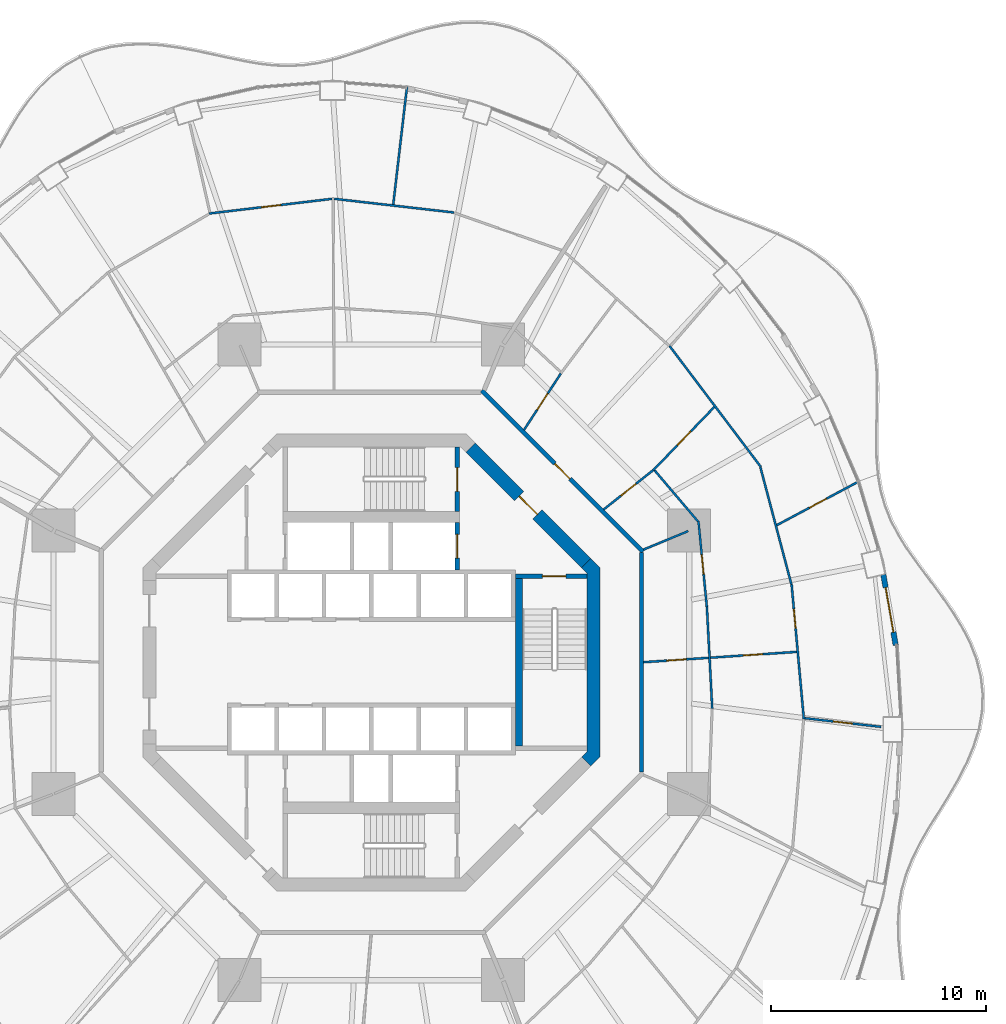
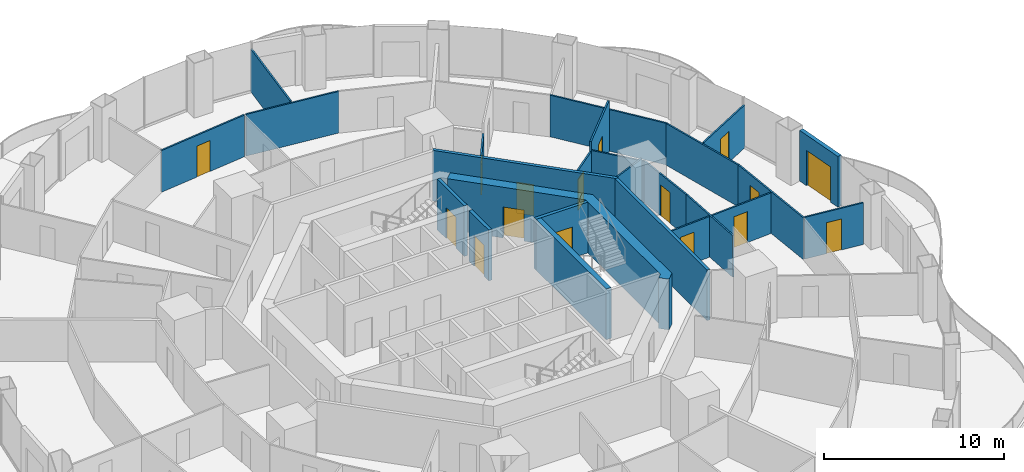
# One storey, part 16 of 20: 25 walls, 16 doors, 16 openings.
"""IFC4 building model written with IfcOpenShell, lengths in metres."""

from ifc_helpers import new_model, si_unit, direction, frame, frame_2d, origin, place, context, subcontext, project, spatial, polyline, rectangle, outline, extrude, material, layer, layer_set, type_object, element, fill, save


model = new_model("IFC4")

# Units and contexts
model_context = context("Model", 3, precision=1e-05, world=origin(), true_north=direction((0.0, 1.0)))
body_context = subcontext(model_context, "Body", "Model", "MODEL_VIEW")
ifc_project = project(units=[si_unit("LENGTHUNIT", "METRE"), si_unit("AREAUNIT", "SQUARE_METRE"), si_unit("VOLUMEUNIT", "CUBIC_METRE"), si_unit("PLANEANGLEUNIT", "RADIAN"), si_unit("MASSUNIT", "GRAM", prefix="KILO")], contexts=[model_context])

# Site, building, storey
site_placement = place(None, origin())
site = spatial("IfcSite", under=ifc_project, at=site_placement, CompositionType="ELEMENT")
building_placement = place(site_placement, origin())
building = spatial("IfcBuilding", under=site, at=building_placement, Name="Nagisa Residences", CompositionType="ELEMENT")
storey_placement = place(building_placement, frame((0.0, 0.0, 123.300048828125)))
storey = spatial("IfcBuildingStorey", under=building, at=storey_placement, Name="L30", CompositionType="ELEMENT", Elevation=123.300048828125)

# Wall
ifc_material_1 = material(Name="Gypsum board on steel studs", Category="steel")
ifc_layer_1 = layer(ifc_material_1, 0.199951171875)
ifc_layer_set_1 = layer_set([ifc_layer_1], Name="Apartment entry wall EI60 200")
wall_type_1 = type_object("IfcWallType", Name="Apartment entry wall EI60 200", PredefinedType="PARTITIONING", material=ifc_layer_set_1)
wall_1_placement = place(storey_placement, frame((12.564697265625, -5.1044921875, 0.0), z_axis=(0.0, 0.0, 1.0), x_axis=(0.0, 1.0, 0.0)))
element("IfcWall", 1, at=wall_1_placement, inside=storey, type_object=wall_type_1, Name="wall:L30:u06", PredefinedType="PARTITIONING", context=body_context, shape_type="SweptSolid", body=[
    extrude(rectangle(XDim=10.208984375, YDim=0.199951171875, at=frame_2d((5.1044921875, 0.0))), origin(), (0.0, 0.0, 1.0), 3.43994140625),
])

# Wall, opening, door
wall_2_placement = place(storey_placement, frame((12.635498046875, 5.1337890625, 0.0), z_axis=(0.0, 0.0, 1.0), x_axis=(-0.707106781187, 0.707106781187, 0.0)))
wall_2 = element("IfcWall", 2, at=wall_2_placement, inside=storey, type_object=wall_type_1, Name="wall:L30:u07", PredefinedType="PARTITIONING", context=body_context, shape_type="SweptSolid", body=[
    extrude(rectangle(XDim=10.609130859375, YDim=0.199951171875, at=frame_2d((5.3046875, 0.0))), origin(), (0.0, 0.0, 1.0), 3.43994140625),
])
opening_1_placement = place(wall_2_placement, frame((4.804443359375, 0.0, 0.0)))
opening_1 = element("IfcOpeningElement", 3, at=opening_1_placement, cuts=wall_2, Name="Opening L30-U35", PredefinedType="OPENING", context=body_context, shape_type="SweptSolid", body=[
    extrude(rectangle(XDim=1.0, YDim=2.10009765625, at=frame_2d((0.5, 1.050048828125))), frame((0.0, 0.10986328125, 0.0), z_axis=(0.0, -1.0, 0.0), x_axis=(1.0, 0.0, 0.0)), (0.0, 0.0, 1.0), 0.219970703125),
])
ifc_material_2 = material(Name="Timber fire door set", Category="wood")
door_type_1 = type_object("IfcDoorType", Name="Apartment entry door FD30S 1000x2100", OperationType="NOTDEFINED", PredefinedType="DOOR", material=ifc_material_2)
door_1_placement = place(opening_1_placement, frame((1.0, 0.0, 0.0), x_axis=(-1.0, 0.0, 0.0)))
door_1 = element("IfcDoor", 4, at=door_1_placement, inside=storey, type_object=door_type_1, Name="Entry door, Apartment 30C", OperationType="SINGLE_SWING_RIGHT", OverallHeight=2.10009765625, OverallWidth=1.0, PredefinedType="DOOR", context=body_context, shape_type="SweptSolid", body=[
    extrude(rectangle(XDim=1.0, YDim=2.10009765625, at=frame_2d((0.5, 1.050048828125))), frame((0.0, 0.02490234375, 0.0), z_axis=(0.0, -1.0, 0.0), x_axis=(1.0, 0.0, 0.0)), (0.0, 0.0, 1.0), 0.050048828125),
])
fill(opening_1, door_1)

# Wall
ifc_material_3 = material(Name="Gypsum board on steel studs", Category="steel")
ifc_layer_2 = layer(ifc_material_3, 0.10009765625)
ifc_layer_set_2 = layer_set([ifc_layer_2], Name="Apartment partition 100")
wall_type_2 = type_object("IfcWallType", Name="Apartment partition 100", PredefinedType="PARTITIONING", material=ifc_layer_set_2)
wall_3_placement = place(storey_placement, frame((15.853271484375, -2.158203125, 0.0), z_axis=(0.0, 0.0, 1.0), x_axis=(-0.052483289253, 0.99862180246, 0.0)))
element("IfcWall", 5, at=wall_3_placement, inside=storey, type_object=wall_type_2, Name="wall:L30:u14", PredefinedType="PARTITIONING", context=body_context, shape_type="SweptSolid", body=[
    extrude(rectangle(XDim=4.74951171875, YDim=0.10009765625, at=frame_2d((2.374755859375, 0.0))), origin(), (0.0, 0.0, 1.0), 2.827880859375),
])

# Wall, opening, door
wall_4_placement = place(storey_placement, frame((20.159912109375, -2.597900390625, 0.0), z_axis=(0.0, 0.0, 1.0), x_axis=(0.993610673305, -0.112861994911, 0.0)))
wall_4 = element("IfcWall", 6, at=wall_4_placement, inside=storey, type_object=wall_type_2, Name="wall:L30:u16", PredefinedType="PARTITIONING", context=body_context, shape_type="SweptSolid", body=[
    extrude(rectangle(XDim=3.560546875, YDim=0.10009765625, at=frame_2d((1.7802734375, 0.0))), origin(), (0.0, 0.0, 1.0), 2.827880859375),
])
opening_2_placement = place(wall_4_placement, frame((1.330322265625, 0.0, 0.0)))
opening_2 = element("IfcOpeningElement", 7, at=opening_2_placement, cuts=wall_4, Name="Opening L30-U45", PredefinedType="OPENING", context=body_context, shape_type="SweptSolid", body=[
    extrude(rectangle(XDim=0.89990234375, YDim=2.10009765625, at=frame_2d((0.449951171875, 1.050048828125))), frame((0.0, 0.06005859375, 0.0), z_axis=(0.0, -1.0, 0.0), x_axis=(1.0, 0.0, 0.0)), (0.0, 0.0, 1.0), 0.1201171875),
])
ifc_material_4 = material(Name="Timber door set", Category="wood")
door_type_2 = type_object("IfcDoorType", Name="Apartment door 900x2100", OperationType="NOTDEFINED", PredefinedType="DOOR", material=ifc_material_4)
door_2_placement = place(opening_2_placement, frame((0.89990234375, 0.0, 0.0), x_axis=(-1.0, 0.0, 0.0)))
door_2 = element("IfcDoor", 8, at=door_2_placement, inside=storey, type_object=door_type_2, Name="Door to living room, Apartment 30C", OperationType="SINGLE_SWING_RIGHT", OverallHeight=2.10009765625, OverallWidth=0.89990234375, PredefinedType="DOOR", context=body_context, shape_type="SweptSolid", body=[
    extrude(rectangle(XDim=0.89990234375, YDim=2.10009765625, at=frame_2d((0.449951171875, 1.050048828125))), frame((0.0, 0.02490234375, 0.0), z_axis=(0.0, -1.0, 0.0), x_axis=(1.0, 0.0, 0.0)), (0.0, 0.0, 1.0), 0.050048828125),
])
fill(opening_2, door_2)

wall_5_placement = place(storey_placement, frame((20.11474609375, -2.64208984375, 0.0), z_axis=(0.0, 0.0, 1.0), x_axis=(-0.090563746294, 0.995890660593, 0.0)))
wall_5 = element("IfcWall", 9, at=wall_5_placement, inside=storey, type_object=wall_type_2, Name="wall:L30:u17", PredefinedType="PARTITIONING", context=body_context, shape_type="SweptSolid", body=[
    extrude(rectangle(XDim=6.289306640625, YDim=0.10009765625, at=frame_2d((3.14453125, 0.0))), origin(), (0.0, 0.0, 1.0), 2.827880859375),
])
opening_3_placement = place(wall_5_placement, frame((4.241943359375, 0.0, 0.0)))
opening_3 = element("IfcOpeningElement", 10, at=opening_3_placement, cuts=wall_5, Name="Opening L30-U40", PredefinedType="OPENING", context=body_context, shape_type="SweptSolid", body=[
    extrude(rectangle(XDim=0.89990234375, YDim=2.10009765625, at=frame_2d((0.449951171875, 1.050048828125))), frame((0.0, 0.06005859375, 0.0), z_axis=(0.0, -1.0, 0.0), x_axis=(1.0, 0.0, 0.0)), (0.0, 0.0, 1.0), 0.1201171875),
])
door_3_placement = place(opening_3_placement, frame((0.89990234375, 0.0, 0.0), x_axis=(-1.0, 0.0, 0.0)))
door_3 = element("IfcDoor", 11, at=door_3_placement, inside=storey, type_object=door_type_2, Name="Door to dining room, Apartment 30C", OperationType="SINGLE_SWING_LEFT", OverallHeight=2.10009765625, OverallWidth=0.89990234375, PredefinedType="DOOR", context=body_context, shape_type="SweptSolid", body=[
    extrude(rectangle(XDim=0.89990234375, YDim=2.10009765625, at=frame_2d((0.449951171875, 1.050048828125))), frame((0.0, 0.02490234375, 0.0), z_axis=(0.0, -1.0, 0.0), x_axis=(1.0, 0.0, 0.0)), (0.0, 0.0, 1.0), 0.050048828125),
])
fill(opening_3, door_3)

# Wall, openings, doors
wall_6_placement = place(storey_placement, frame((12.66455078125, 0.0068359375, 0.0), z_axis=(0.0, 0.0, 1.0), x_axis=(0.997737186236, 0.067234717233, 0.0)))
wall_6 = element("IfcWall", 12, at=wall_6_placement, inside=storey, type_object=wall_type_2, Name="wall:L30:u19", PredefinedType="PARTITIONING", context=body_context, shape_type="SweptSolid", body=[
    extrude(rectangle(XDim=7.131591796875, YDim=0.10009765625, at=frame_2d((3.56591796875, 0.0))), origin(), (0.0, 0.0, 1.0), 2.755859375),
])
opening_4_placement = place(wall_6_placement, frame((4.6513671875, 0.0, 0.0)))
opening_4 = element("IfcOpeningElement", 13, at=opening_4_placement, cuts=wall_6, Name="Opening L30-U44", PredefinedType="OPENING", context=body_context, shape_type="SweptSolid", body=[
    extrude(rectangle(XDim=0.89990234375, YDim=2.10009765625, at=frame_2d((0.449951171875, 1.050048828125))), frame((0.0, 0.06005859375, 0.0), z_axis=(0.0, -1.0, 0.0), x_axis=(1.0, 0.0, 0.0)), (0.0, 0.0, 1.0), 0.1201171875),
])
opening_5_placement = place(wall_6_placement, frame((1.08544921875, 0.0, 0.0)))
opening_5 = element("IfcOpeningElement", 14, at=opening_5_placement, cuts=wall_6, Name="Opening L30-U46", PredefinedType="OPENING", context=body_context, shape_type="SweptSolid", body=[
    extrude(rectangle(XDim=0.89990234375, YDim=2.10009765625, at=frame_2d((0.449951171875, 1.050048828125))), frame((0.0, 0.06005859375, 0.0), z_axis=(0.0, -1.0, 0.0), x_axis=(1.0, 0.0, 0.0)), (0.0, 0.0, 1.0), 0.1201171875),
])
door_4_placement = place(opening_4_placement, frame((0.89990234375, 0.0, 0.0), x_axis=(-1.0, 0.0, 0.0)))
door_4 = element("IfcDoor", 15, at=door_4_placement, inside=storey, type_object=door_type_2, Name="Door to study, Apartment 30C", OperationType="SINGLE_SWING_LEFT", OverallHeight=2.10009765625, OverallWidth=0.89990234375, PredefinedType="DOOR", context=body_context, shape_type="SweptSolid", body=[
    extrude(rectangle(XDim=0.89990234375, YDim=2.10009765625, at=frame_2d((0.449951171875, 1.050048828125))), frame((0.0, 0.02490234375, 0.0), z_axis=(0.0, -1.0, 0.0), x_axis=(1.0, 0.0, 0.0)), (0.0, 0.0, 1.0), 0.050048828125),
])
fill(opening_4, door_4)
door_5_placement = place(opening_5_placement, frame((0.89990234375, 0.0, 0.0), x_axis=(-1.0, 0.0, 0.0)))
door_5 = element("IfcDoor", 16, at=door_5_placement, inside=storey, type_object=door_type_2, Name="Door to store, Apartment 30C", OperationType="SINGLE_SWING_LEFT", OverallHeight=2.10009765625, OverallWidth=0.89990234375, PredefinedType="DOOR", context=body_context, shape_type="SweptSolid", body=[
    extrude(rectangle(XDim=0.89990234375, YDim=2.10009765625, at=frame_2d((0.449951171875, 1.050048828125))), frame((0.0, 0.02490234375, 0.0), z_axis=(0.0, -1.0, 0.0), x_axis=(1.0, 0.0, 0.0)), (0.0, 0.0, 1.0), 0.050048828125),
])
fill(opening_5, door_5)

# Wall, opening, door
wall_7_placement = place(storey_placement, frame((15.601806640625, 2.58447265625, 0.0), z_axis=(0.0, 0.0, 1.0), x_axis=(-0.097216297846, 0.995263277446, 0.0)))
wall_7 = element("IfcWall", 17, at=wall_7_placement, inside=storey, type_object=wall_type_2, Name="wall:L30:u20", PredefinedType="PARTITIONING", context=body_context, shape_type="SweptSolid", body=[
    extrude(rectangle(XDim=4.005615234375, YDim=0.10009765625, at=frame_2d((2.0029296875, 0.0))), origin(), (0.0, 0.0, 1.0), 2.827880859375),
])
opening_6_placement = place(wall_7_placement, frame((1.52783203125, 0.0, 0.0)))
opening_6 = element("IfcOpeningElement", 18, at=opening_6_placement, cuts=wall_7, Name="Opening L30-U43", PredefinedType="OPENING", context=body_context, shape_type="SweptSolid", body=[
    extrude(rectangle(XDim=0.89990234375, YDim=2.10009765625, at=frame_2d((0.449951171875, 1.050048828125))), frame((0.0, 0.06005859375, 0.0), z_axis=(0.0, -1.0, 0.0), x_axis=(1.0, 0.0, 0.0)), (0.0, 0.0, 1.0), 0.1201171875),
])
door_6_placement = place(opening_6_placement, origin())
door_6 = element("IfcDoor", 19, at=door_6_placement, inside=storey, type_object=door_type_2, Name="Door to laundry, Apartment 30C", OperationType="SINGLE_SWING_LEFT", OverallHeight=2.10009765625, OverallWidth=0.89990234375, PredefinedType="DOOR", context=body_context, shape_type="SweptSolid", body=[
    extrude(rectangle(XDim=0.89990234375, YDim=2.10009765625, at=frame_2d((0.449951171875, 1.050048828125))), frame((0.0, 0.02490234375, 0.0), z_axis=(0.0, -1.0, 0.0), x_axis=(1.0, 0.0, 0.0)), (0.0, 0.0, 1.0), 0.050048828125),
])
fill(opening_6, door_6)

# Wall
wall_8_placement = place(storey_placement, frame((19.536865234375, 3.619873046875, 0.0), z_axis=(0.0, 0.0, 1.0), x_axis=(-0.255892560316, 0.966705227862, 0.0)))
element("IfcWall", 20, at=wall_8_placement, inside=storey, type_object=wall_type_2, Name="wall:L30:u21", PredefinedType="PARTITIONING", context=body_context, shape_type="SweptSolid", body=[
    extrude(rectangle(XDim=5.65869140625, YDim=0.10009765625, at=frame_2d((2.829345703125, 0.0))), origin(), (0.0, 0.0, 1.0), 2.827880859375),
])

# Wall, opening, door
wall_9_placement = place(storey_placement, frame((18.85693359375, 6.37841796875, 0.0), z_axis=(0.0, 0.0, 1.0), x_axis=(0.882223462934, 0.470830926607, 0.0)))
wall_9 = element("IfcWall", 21, at=wall_9_placement, inside=storey, type_object=wall_type_2, Name="wall:L30:u22", PredefinedType="PARTITIONING", context=body_context, shape_type="SweptSolid", body=[
    extrude(rectangle(XDim=4.333251953125, YDim=0.10009765625, at=frame_2d((2.16650390625, 0.0))), origin(), (0.0, 0.0, 1.0), 2.905029296875),
])
opening_7_placement = place(wall_9_placement, frame((1.716552734375, 0.0, 0.0)))
opening_7 = element("IfcOpeningElement", 22, at=opening_7_placement, cuts=wall_9, Name="Opening L30-U41", PredefinedType="OPENING", context=body_context, shape_type="SweptSolid", body=[
    extrude(rectangle(XDim=0.89990234375, YDim=2.10009765625, at=frame_2d((0.449951171875, 1.050048828125))), frame((0.0, 0.06005859375, 0.0), z_axis=(0.0, -1.0, 0.0), x_axis=(1.0, 0.0, 0.0)), (0.0, 0.0, 1.0), 0.1201171875),
])
door_7_placement = place(opening_7_placement, origin())
door_7 = element("IfcDoor", 23, at=door_7_placement, inside=storey, type_object=door_type_2, Name="Door to master bedroom, Apartment 30C", OperationType="SINGLE_SWING_LEFT", OverallHeight=2.10009765625, OverallWidth=0.89990234375, PredefinedType="DOOR", context=body_context, shape_type="SweptSolid", body=[
    extrude(rectangle(XDim=0.89990234375, YDim=2.10009765625, at=frame_2d((0.449951171875, 1.050048828125))), frame((0.0, 0.02490234375, 0.0), z_axis=(0.0, -1.0, 0.0), x_axis=(1.0, 0.0, 0.0)), (0.0, 0.0, 1.0), 0.050048828125),
])
fill(opening_7, door_7)

# Walls
wall_10_placement = place(storey_placement, frame((12.6572265625, 5.24267578125, 0.0), z_axis=(0.0, 0.0, 1.0), x_axis=(0.923864733477, 0.382719158442, 0.0)))
element("IfcWall", 24, at=wall_10_placement, inside=storey, type_object=wall_type_2, Name="wall:L30:u23", PredefinedType="PARTITIONING", context=body_context, shape_type="SweptSolid", body=[
    extrude(rectangle(XDim=2.25, YDim=0.10009765625, at=frame_2d((1.125, 0.0))), origin(), (0.0, 0.0, 1.0), 3.43994140625),
])
wall_11_placement = place(storey_placement, frame((15.184814453125, 6.559326171875, 0.0), z_axis=(0.0, 0.0, 1.0), x_axis=(-0.647360926376, 0.762183594026, 0.0)))
element("IfcWall", 25, at=wall_11_placement, inside=storey, type_object=wall_type_2, Name="wall:L30:u24", PredefinedType="PARTITIONING", context=body_context, shape_type="SweptSolid", body=[
    extrude(rectangle(XDim=3.1064453125, YDim=0.10009765625, at=frame_2d((1.55322265625, 0.0))), origin(), (0.0, 0.0, 1.0), 2.827880859375),
])
wall_12_placement = place(storey_placement, frame((18.106201171875, 9.098388671875, 0.0), z_axis=(0.0, 0.0, 1.0), x_axis=(-0.602398572907, 0.798195439325, 0.0)))
element("IfcWall", 26, at=wall_12_placement, inside=storey, type_object=wall_type_2, Name="wall:L30:u25", PredefinedType="PARTITIONING", context=body_context, shape_type="SweptSolid", body=[
    extrude(rectangle(XDim=7.043701171875, YDim=0.10009765625, at=frame_2d((3.52197265625, 0.0))), origin(), (0.0, 0.0, 1.0), 2.827880859375),
])

# Wall, opening, door
wall_13_placement = place(storey_placement, frame((10.802978515625, 7.106689453125, 0.0), z_axis=(0.0, 0.0, 1.0), x_axis=(0.782908385935, 0.622137010017, 0.0)))
wall_13 = element("IfcWall", 27, at=wall_13_placement, inside=storey, type_object=wall_type_2, Name="wall:L30:u26", PredefinedType="PARTITIONING", context=body_context, shape_type="SweptSolid", body=[
    extrude(rectangle(XDim=2.93701171875, YDim=0.10009765625, at=frame_2d((1.468505859375, 0.0))), origin(), (0.0, 0.0, 1.0), 2.755859375),
])
opening_8_placement = place(wall_13_placement, frame((1.0185546875, 0.0, 0.0)))
opening_8 = element("IfcOpeningElement", 28, at=opening_8_placement, cuts=wall_13, Name="Opening L30-U36", PredefinedType="OPENING", context=body_context, shape_type="SweptSolid", body=[
    extrude(rectangle(XDim=0.89990234375, YDim=2.10009765625, at=frame_2d((0.449951171875, 1.050048828125))), frame((0.0, 0.06005859375, 0.0), z_axis=(0.0, -1.0, 0.0), x_axis=(1.0, 0.0, 0.0)), (0.0, 0.0, 1.0), 0.1201171875),
])
door_8_placement = place(opening_8_placement, frame((0.89990234375, 0.0, 0.0), x_axis=(-1.0, 0.0, 0.0)))
door_8 = element("IfcDoor", 29, at=door_8_placement, inside=storey, type_object=door_type_2, Name="Door to family bathroom, Apartment 30C", OperationType="SINGLE_SWING_LEFT", OverallHeight=2.10009765625, OverallWidth=0.89990234375, PredefinedType="DOOR", context=body_context, shape_type="SweptSolid", body=[
    extrude(rectangle(XDim=0.89990234375, YDim=2.10009765625, at=frame_2d((0.449951171875, 1.050048828125))), frame((0.0, 0.02490234375, 0.0), z_axis=(0.0, -1.0, 0.0), x_axis=(1.0, 0.0, 0.0)), (0.0, 0.0, 1.0), 0.050048828125),
])
fill(opening_8, door_8)

wall_14_placement = place(storey_placement, frame((13.106689453125, 8.928955078125, 0.0), z_axis=(0.0, 0.0, 1.0), x_axis=(0.694592384931, 0.719403515974, 0.0)))
wall_14 = element("IfcWall", 30, at=wall_14_placement, inside=storey, type_object=wall_type_2, Name="wall:L30:u27", PredefinedType="PARTITIONING", context=body_context, shape_type="SweptSolid", body=[
    extrude(rectangle(XDim=4.093505859375, YDim=0.10009765625, at=frame_2d((2.046875, 0.0))), origin(), (0.0, 0.0, 1.0), 3.43994140625),
])
opening_9_placement = place(wall_14_placement, frame((1.62158203125, 0.0, 0.0)))
opening_9 = element("IfcOpeningElement", 31, at=opening_9_placement, cuts=wall_14, Name="Opening L30-U38", PredefinedType="OPENING", context=body_context, shape_type="SweptSolid", body=[
    extrude(rectangle(XDim=0.89990234375, YDim=2.10009765625, at=frame_2d((0.449951171875, 1.050048828125))), frame((0.0, 0.06005859375, 0.0), z_axis=(0.0, -1.0, 0.0), x_axis=(1.0, 0.0, 0.0)), (0.0, 0.0, 1.0), 0.1201171875),
])
door_9_placement = place(opening_9_placement, frame((0.89990234375, 0.0, 0.0), x_axis=(-1.0, 0.0, 0.0)))
door_9 = element("IfcDoor", 32, at=door_9_placement, inside=storey, type_object=door_type_2, Name="Door to dining room, Apartment 30C", OperationType="SINGLE_SWING_LEFT", OverallHeight=2.10009765625, OverallWidth=0.89990234375, PredefinedType="DOOR", context=body_context, shape_type="SweptSolid", body=[
    extrude(rectangle(XDim=0.89990234375, YDim=2.10009765625, at=frame_2d((0.449951171875, 1.050048828125))), frame((0.0, 0.02490234375, 0.0), z_axis=(0.0, -1.0, 0.0), x_axis=(1.0, 0.0, 0.0)), (0.0, 0.0, 1.0), 0.050048828125),
])
fill(opening_9, door_9)

wall_15_placement = place(storey_placement, frame((7.09912109375, 10.808349609375, 0.0), z_axis=(0.0, 0.0, 1.0), x_axis=(0.546709757921, 0.837322184463, 0.0)))
wall_15 = element("IfcWall", 33, at=wall_15_placement, inside=storey, type_object=wall_type_2, Name="wall:L30:u30", PredefinedType="PARTITIONING", context=body_context, shape_type="SweptSolid", body=[
    extrude(rectangle(XDim=3.133544921875, YDim=0.10009765625, at=frame_2d((1.56689453125, 0.0))), origin(), (0.0, 0.0, 1.0), 2.755859375),
])
opening_10_placement = place(wall_15_placement, frame((1.11669921875, 0.0, 0.0)))
opening_10 = element("IfcOpeningElement", 34, at=opening_10_placement, cuts=wall_15, Name="Opening L30-U37", PredefinedType="OPENING", context=body_context, shape_type="SweptSolid", body=[
    extrude(rectangle(XDim=0.89990234375, YDim=2.10009765625, at=frame_2d((0.449951171875, 1.050048828125))), frame((0.0, 0.06005859375, 0.0), z_axis=(0.0, -1.0, 0.0), x_axis=(1.0, 0.0, 0.0)), (0.0, 0.0, 1.0), 0.1201171875),
])
door_10_placement = place(opening_10_placement, origin())
door_10 = element("IfcDoor", 35, at=door_10_placement, inside=storey, type_object=door_type_2, Name="Door to family bathroom, Apartment 30C", OperationType="SINGLE_SWING_LEFT", OverallHeight=2.10009765625, OverallWidth=0.89990234375, PredefinedType="DOOR", context=body_context, shape_type="SweptSolid", body=[
    extrude(rectangle(XDim=0.89990234375, YDim=2.10009765625, at=frame_2d((0.449951171875, 1.050048828125))), frame((0.0, 0.02490234375, 0.0), z_axis=(0.0, -1.0, 0.0), x_axis=(1.0, 0.0, 0.0)), (0.0, 0.0, 1.0), 0.050048828125),
])
fill(opening_10, door_10)

# Walls
wall_16_placement = place(storey_placement, frame((3.850830078125, 20.9189453125, 0.0), z_axis=(0.0, 0.0, 1.0), x_axis=(-0.993519908136, 0.11365822512, 0.0)))
element("IfcWall", 36, at=wall_16_placement, inside=storey, type_object=wall_type_2, Name="wall:L30:u36", PredefinedType="PARTITIONING", context=body_context, shape_type="SweptSolid", body=[
    extrude(rectangle(XDim=5.61279296875, YDim=0.10009765625, at=frame_2d((2.806396484375, 0.0))), origin(), (0.0, 0.0, 1.0), 2.827880859375),
])
wall_17_placement = place(storey_placement, frame((1.018798828125, 21.293212890625, 0.0), z_axis=(0.0, 0.0, 1.0), x_axis=(0.11589741608, 0.993261188684, 0.0)))
element("IfcWall", 37, at=wall_17_placement, inside=storey, type_object=wall_type_2, Name="wall:L30:u37", PredefinedType="PARTITIONING", context=body_context, shape_type="SweptSolid", body=[
    extrude(rectangle(XDim=5.523193359375, YDim=0.10009765625, at=frame_2d((2.76171875, 0.0))), origin(), (0.0, 0.0, 1.0), 2.905029296875),
])

# Wall, opening, door
wall_18_placement = place(storey_placement, frame((-1.824951171875, 21.556640625, 0.0), z_axis=(0.0, 0.0, 1.0), x_axis=(-0.992915657947, -0.118821278412, 0.0)))
wall_18 = element("IfcWall", 38, at=wall_18_placement, inside=storey, type_object=wall_type_2, Name="wall:L30:u40", PredefinedType="PARTITIONING", context=body_context, shape_type="SweptSolid", body=[
    extrude(rectangle(XDim=5.765380859375, YDim=0.10009765625, at=frame_2d((2.8828125, 0.0))), origin(), (0.0, 0.0, 1.0), 2.827880859375),
])
opening_11_placement = place(wall_18_placement, frame((2.40771484375, 0.0, 0.0)))
opening_11 = element("IfcOpeningElement", 39, at=opening_11_placement, cuts=wall_18, Name="Opening L30-U06", PredefinedType="OPENING", context=body_context, shape_type="SweptSolid", body=[
    extrude(rectangle(XDim=0.89990234375, YDim=2.10009765625, at=frame_2d((0.449951171875, 1.050048828125))), frame((0.0, 0.06005859375, 0.0), z_axis=(0.0, -1.0, 0.0), x_axis=(1.0, 0.0, 0.0)), (0.0, 0.0, 1.0), 0.1201171875),
])
door_11_placement = place(opening_11_placement, frame((0.89990234375, 0.0, 0.0), x_axis=(-1.0, 0.0, 0.0)))
door_11 = element("IfcDoor", 40, at=door_11_placement, inside=storey, type_object=door_type_2, Name="Door to master bedroom, Apartment 30A", OperationType="SINGLE_SWING_LEFT", OverallHeight=2.10009765625, OverallWidth=0.89990234375, PredefinedType="DOOR", context=body_context, shape_type="SweptSolid", body=[
    extrude(rectangle(XDim=0.89990234375, YDim=2.10009765625, at=frame_2d((0.449951171875, 1.050048828125))), frame((0.0, 0.02490234375, 0.0), z_axis=(0.0, -1.0, 0.0), x_axis=(1.0, 0.0, 0.0)), (0.0, 0.0, 1.0), 0.050048828125),
])
fill(opening_11, door_11)

ifc_material_5 = material(Name="Precast concrete C40/50", Category="concrete")
ifc_layer_3 = layer(ifc_material_5, 0.25)
ifc_layer_set_3 = layer_set([ifc_layer_3], Name="BALCONY DOOR WALL 250")
wall_type_3 = type_object("IfcWallType", Name="BALCONY DOOR WALL 250", PredefinedType="SOLIDWALL", material=ifc_layer_set_3)
wall_19_placement = place(storey_placement, frame((23.81103515625, 4.084716796875, 0.0), z_axis=(0.0, 0.0, 1.0), x_axis=(0.172163521006, -0.985068384446, 0.0)))
wall_19 = element("IfcWall", 41, at=wall_19_placement, inside=storey, type_object=wall_type_3, Name="wall:L30:bay01", PredefinedType="SOLIDWALL", context=body_context, shape_type="SweptSolid", body=[
    extrude(rectangle(XDim=3.33251953125, YDim=0.25, at=frame_2d((1.666259765625, 0.0))), origin(), (0.0, 0.0, 1.0), 3.43994140625),
])
opening_12_placement = place(wall_19_placement, frame((0.6162109375, 0.0, 0.0)))
opening_12 = element("IfcOpeningElement", 42, at=opening_12_placement, cuts=wall_19, Name="Opening BD-L30-01", PredefinedType="OPENING", context=body_context, shape_type="SweptSolid", body=[
    extrude(rectangle(XDim=2.10009765625, YDim=2.39990234375, at=frame_2d((1.050048828125, 1.199951171875))), frame((0.0, 0.135009765625, 0.0), z_axis=(0.0, -1.0, 0.0), x_axis=(1.0, 0.0, 0.0)), (0.0, 0.0, 1.0), 0.27001953125),
])
ifc_material_6 = material(Name="Aluminium and clear glass", Category="aluminium")
door_type_3 = type_object("IfcDoorType", Name="BALCONY SLIDING DOOR 2100x2400", OperationType="SLIDING_TO_LEFT", PredefinedType="DOOR", material=ifc_material_6)
door_12_placement = place(opening_12_placement, origin())
door_12 = element("IfcDoor", 43, at=door_12_placement, inside=storey, type_object=door_type_3, Name="door:L30:bay01", OperationType="SLIDING_TO_LEFT", OverallHeight=2.39990234375, OverallWidth=2.10009765625, PredefinedType="DOOR", context=body_context, shape_type="SweptSolid", body=[
    extrude(rectangle(XDim=2.10009765625, YDim=2.39990234375, at=frame_2d((1.050048828125, 1.199951171875))), frame((0.0, 0.02490234375, 0.0), z_axis=(0.0, -1.0, 0.0), x_axis=(1.0, 0.0, 0.0)), (0.0, 0.0, 1.0), 0.050048828125),
])
fill(opening_12, door_12)

ifc_material_7 = material(Name="Concrete C60", Category="concrete")
ifc_layer_4 = layer(ifc_material_7, 0.60009765625)
ifc_layer_set_4 = layer_set([ifc_layer_4], Name="Core shear wall 600")
wall_type_4 = type_object("IfcWallType", Name="Core shear wall 600", PredefinedType="SHEAR", material=ifc_layer_set_4)
wall_20_placement = place(storey_placement, frame((9.98828125, 4.613037109375, 0.0), z_axis=(0.0, 0.0, 1.0), x_axis=(-0.707106781187, 0.707106781187, 0.0)))
wall_20 = element("IfcWall", 44, at=wall_20_placement, inside=storey, type_object=wall_type_4, Name="wall:L30:core:flat1", PredefinedType="SHEAR", context=body_context, shape_type="SweptSolid", body=[
    extrude(rectangle(XDim=7.601806640625, YDim=0.60009765625, at=frame_2d((3.80078125, 0.0))), origin(), (0.0, 0.0, 1.0), 3.43994140625),
])
opening_13_placement = place(wall_20_placement, frame((3.200927734375, 0.0, 0.0)))
opening_13 = element("IfcOpeningElement", 45, at=opening_13_placement, cuts=wall_20, Name="Opening L30-C15", PredefinedType="OPENING", context=body_context, shape_type="SweptSolid", body=[
    extrude(rectangle(XDim=1.199951171875, YDim=2.10009765625, at=frame_2d((0.60009765625, 1.050048828125))), frame((0.0, 0.31005859375, 0.0), z_axis=(0.0, -1.0, 0.0), x_axis=(1.0, 0.0, 0.0)), (0.0, 0.0, 1.0), 0.6201171875),
])
ifc_material_8 = material(Name="Steel fire door", Category="steel")
door_type_4 = type_object("IfcDoorType", Name="Fire door EI60 1200x2100 single swing", OperationType="NOTDEFINED", PredefinedType="DOOR", material=ifc_material_8)
door_13_placement = place(opening_13_placement, origin())
door_13 = element("IfcDoor", 46, at=door_13_placement, inside=storey, type_object=door_type_4, Name="Firefighting lobby 1 door L30", OperationType="SINGLE_SWING_RIGHT", OverallHeight=2.10009765625, OverallWidth=1.199951171875, PredefinedType="DOOR", context=body_context, shape_type="SweptSolid", body=[
    extrude(rectangle(XDim=1.199951171875, YDim=2.10009765625, at=frame_2d((0.60009765625, 1.050048828125))), frame((0.0, 0.02490234375, 0.0), z_axis=(0.0, -1.0, 0.0), x_axis=(1.0, 0.0, 0.0)), (0.0, 0.0, 1.0), 0.050048828125),
])
fill(opening_13, door_13)

# Wall
wall_21_placement = place(storey_placement, origin())
element("IfcWall", 47, at=wall_21_placement, inside=storey, type_object=wall_type_4, Name="wall:L30:core:flat0", PredefinedType="SHEAR", context=body_context, shape_type="SweptSolid", body=[
    extrude(outline(polyline([(9.776123046875, -4.40087890625), (10.024658203125, -4.15234375), (10.024658203125, -3.801025390625), (10.024658203125, 4.15234375), (9.776123046875, 4.40087890625), (10.200439453125, 4.8251953125), (10.62451171875, 4.40087890625), (10.62451171875, -4.40087890625), (10.200439453125, -4.8251953125), (9.776123046875, -4.40087890625)])), origin(), (0.0, 0.0, 1.0), 3.43994140625),
])

# Wall, opening, door
ifc_material_9 = material(Name="Concrete C60", Category="concrete")
ifc_layer_5 = layer(ifc_material_9, 0.199951171875)
ifc_layer_set_5 = layer_set([ifc_layer_5], Name="Lift shaft wall 200")
wall_type_5 = type_object("IfcWallType", Name="Lift shaft wall 200", PredefinedType="SOLIDWALL", material=ifc_layer_set_5)
wall_22_placement = place(storey_placement, frame((4.0, 4.300048828125, 0.0), z_axis=(0.0, 0.0, 1.0), x_axis=(0.0, 1.0, 0.0)))
wall_22 = element("IfcWall", 48, at=wall_22_placement, inside=storey, type_object=wall_type_5, Name="wall:L30:Nb3", PredefinedType="SOLIDWALL", context=body_context, shape_type="SweptSolid", body=[
    extrude(rectangle(XDim=2.199951171875, YDim=0.199951171875, at=frame_2d((1.10009765625, 0.0))), origin(), (0.0, 0.0, 1.0), 3.43994140625),
])
opening_14_placement = place(wall_22_placement, frame((0.550048828125, 0.0, 0.0)))
opening_14 = element("IfcOpeningElement", 49, at=opening_14_placement, cuts=wall_22, Name="Opening L30-C06", PredefinedType="OPENING", context=body_context, shape_type="SweptSolid", body=[
    extrude(rectangle(XDim=1.10009765625, YDim=2.10009765625, at=frame_2d((0.550048828125, 1.050048828125))), frame((0.0, 0.10986328125, 0.0), z_axis=(0.0, -1.0, 0.0), x_axis=(1.0, 0.0, 0.0)), (0.0, 0.0, 1.0), 0.219970703125),
])
ifc_material_10 = material(Name="Stainless steel", Category="steel")
door_type_5 = type_object("IfcDoorType", Name="Lift landing door 1100x2100", OperationType="DOUBLE_DOOR_SLIDING", PredefinedType="DOOR", material=ifc_material_10)
door_14_placement = place(opening_14_placement, origin())
door_14 = element("IfcDoor", 50, at=door_14_placement, inside=storey, type_object=door_type_5, Name="Landing door FL1 L30", OperationType="DOUBLE_DOOR_SLIDING", OverallHeight=2.10009765625, OverallWidth=1.10009765625, PredefinedType="DOOR", context=body_context, shape_type="SweptSolid", body=[
    extrude(rectangle(XDim=1.10009765625, YDim=2.10009765625, at=frame_2d((0.550048828125, 1.050048828125))), frame((0.0, 0.02490234375, 0.0), z_axis=(0.0, -1.0, 0.0), x_axis=(1.0, 0.0, 0.0)), (0.0, 0.0, 1.0), 0.050048828125),
])
fill(opening_14, door_14)

ifc_material_11 = material(Name="Concrete C60", Category="concrete")
ifc_layer_6 = layer(ifc_material_11, 0.199951171875)
ifc_layer_set_6 = layer_set([ifc_layer_6], Name="Stair enclosure wall 200")
wall_type_6 = type_object("IfcWallType", Name="Stair enclosure wall 200", PredefinedType="SOLIDWALL", material=ifc_layer_set_6)
wall_23_placement = place(storey_placement, frame((6.699951171875, 4.0, 0.0), z_axis=(0.0, 0.0, 1.0), x_axis=(1.0, 0.0, 0.0)))
wall_23 = element("IfcWall", 51, at=wall_23_placement, inside=storey, type_object=wall_type_6, Name="wall:L30:SE_n", PredefinedType="SOLIDWALL", context=body_context, shape_type="SweptSolid", body=[
    extrude(rectangle(XDim=3.32470703125, YDim=0.199951171875, at=frame_2d((1.662353515625, 0.0))), origin(), (0.0, 0.0, 1.0), 3.43994140625),
])
opening_15_placement = place(wall_23_placement, frame((1.25, 0.0, 0.0)))
opening_15 = element("IfcOpeningElement", 52, at=opening_15_placement, cuts=wall_23, Name="Opening L30-C09", PredefinedType="OPENING", context=body_context, shape_type="SweptSolid", body=[
    extrude(rectangle(XDim=1.10009765625, YDim=2.10009765625, at=frame_2d((0.550048828125, 1.050048828125))), frame((0.0, 0.10986328125, 0.0), z_axis=(0.0, -1.0, 0.0), x_axis=(1.0, 0.0, 0.0)), (0.0, 0.0, 1.0), 0.219970703125),
])
ifc_material_12 = material(Name="Steel fire door", Category="steel")
door_type_6 = type_object("IfcDoorType", Name="Fire door EI90 1100x2100 single swing", OperationType="NOTDEFINED", PredefinedType="DOOR", material=ifc_material_12)
door_15_placement = place(opening_15_placement, frame((1.10009765625, 0.0, 0.0), x_axis=(-1.0, 0.0, 0.0)))
door_15 = element("IfcDoor", 53, at=door_15_placement, inside=storey, type_object=door_type_6, Name="Stair door ST-E L30", OperationType="SINGLE_SWING_LEFT", OverallHeight=2.10009765625, OverallWidth=1.10009765625, PredefinedType="DOOR", context=body_context, shape_type="SweptSolid", body=[
    extrude(rectangle(XDim=1.10009765625, YDim=2.10009765625, at=frame_2d((0.550048828125, 1.050048828125))), frame((0.0, 0.02490234375, 0.0), z_axis=(0.0, -1.0, 0.0), x_axis=(1.0, 0.0, 0.0)), (0.0, 0.0, 1.0), 0.050048828125),
])
fill(opening_15, door_15)

wall_24_placement = place(storey_placement, frame((4.0, 7.024658203125, 0.0), z_axis=(0.0, 0.0, 1.0), x_axis=(0.0, 1.0, 0.0)))
wall_24 = element("IfcWall", 54, at=wall_24_placement, inside=storey, type_object=wall_type_6, Name="wall:L30:SN_e", PredefinedType="SOLIDWALL", context=body_context, shape_type="SweptSolid", body=[
    extrude(rectangle(XDim=3.0, YDim=0.199951171875, at=frame_2d((1.5, 0.0))), origin(), (0.0, 0.0, 1.0), 3.43994140625),
])
opening_16_placement = place(wall_24_placement, frame((0.92529296875, 0.0, 0.0)))
opening_16 = element("IfcOpeningElement", 55, at=opening_16_placement, cuts=wall_24, Name="Opening L30-C10", PredefinedType="OPENING", context=body_context, shape_type="SweptSolid", body=[
    extrude(rectangle(XDim=1.10009765625, YDim=2.10009765625, at=frame_2d((0.550048828125, 1.050048828125))), frame((0.0, 0.10986328125, 0.0), z_axis=(0.0, -1.0, 0.0), x_axis=(1.0, 0.0, 0.0)), (0.0, 0.0, 1.0), 0.219970703125),
])
door_16_placement = place(opening_16_placement, origin())
door_16 = element("IfcDoor", 56, at=door_16_placement, inside=storey, type_object=door_type_6, Name="Stair door ST-N L30", OperationType="SINGLE_SWING_RIGHT", OverallHeight=2.10009765625, OverallWidth=1.10009765625, PredefinedType="DOOR", context=body_context, shape_type="SweptSolid", body=[
    extrude(rectangle(XDim=1.10009765625, YDim=2.10009765625, at=frame_2d((0.550048828125, 1.050048828125))), frame((0.0, 0.02490234375, 0.0), z_axis=(0.0, -1.0, 0.0), x_axis=(1.0, 0.0, 0.0)), (0.0, 0.0, 1.0), 0.050048828125),
])
fill(opening_16, door_16)

# Wall
wall_25_placement = place(storey_placement, origin())
element("IfcWall", 57, at=wall_25_placement, inside=storey, type_object=wall_type_6, Name="wall:L30:SE_w", PredefinedType="SOLIDWALL", context=body_context, shape_type="SweptSolid", body=[
    extrude(outline(polyline([(7.024658203125, -3.89990234375), (6.699951171875, -3.89990234375), (6.699951171875, 3.89990234375), (7.024658203125, 3.89990234375), (7.024658203125, -3.89990234375)])), origin(), (0.0, 0.0, 1.0), 3.43994140625),
])

save(model, "model.ifc")
